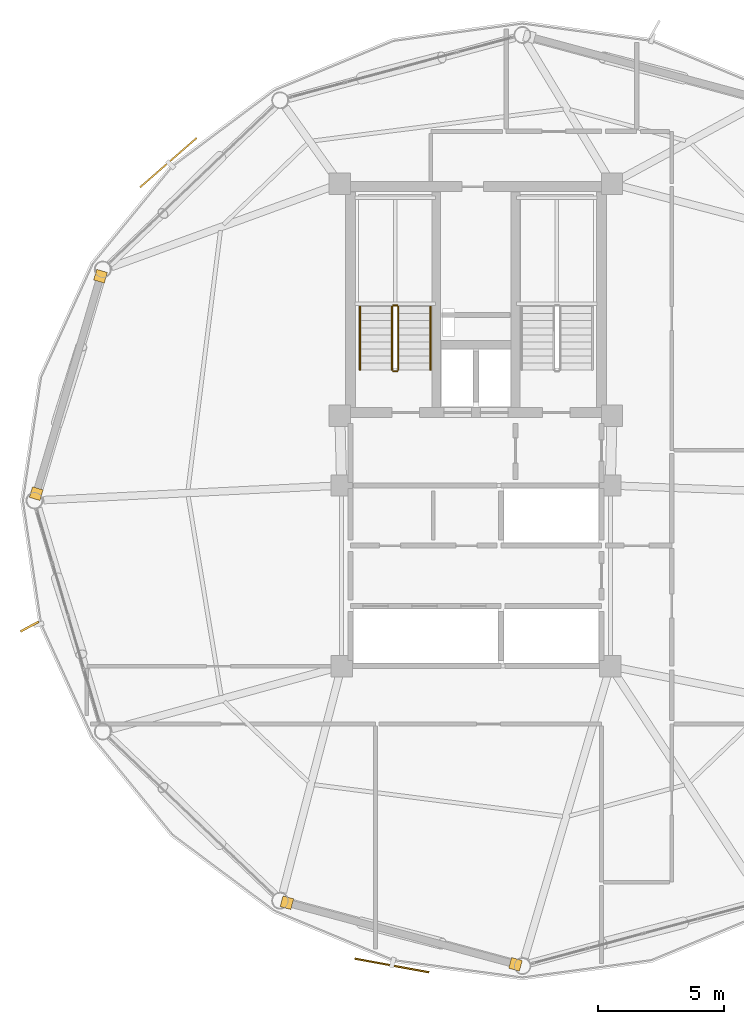
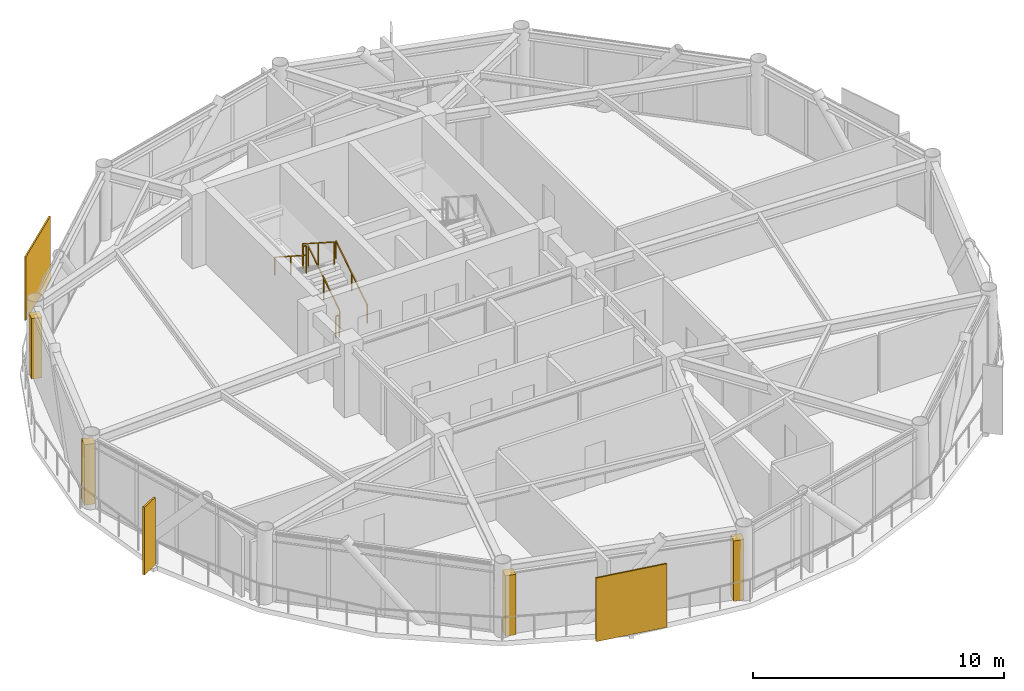
# One storey, part 26 of 28: 6 railings, 4 coverings, 3 shading devices.
"""IFC4 building model written with IfcOpenShell, lengths in metres."""

from ifc_helpers import new_model, si_unit, direction, frame, origin, origin_2d, place, context, subcontext, project, spatial, rectangle, extrude, source, transform, mapped, material, layer, layer_set, type_object, type_shapes, element, save


model = new_model("IFC4")

# Units and contexts
model_context = context("Model", 3, precision=1e-05, world=origin(), true_north=direction((0.0, 1.0)))
body_context = subcontext(model_context, "Body", "Model", "MODEL_VIEW")
ifc_project = project(units=[si_unit("LENGTHUNIT", "METRE"), si_unit("AREAUNIT", "SQUARE_METRE"), si_unit("VOLUMEUNIT", "CUBIC_METRE"), si_unit("PLANEANGLEUNIT", "RADIAN"), si_unit("MASSUNIT", "GRAM", prefix="KILO")], contexts=[model_context])

# Site, building, storey
site_placement = place(None, origin())
site = spatial("IfcSite", under=ifc_project, at=site_placement, CompositionType="ELEMENT")
building_placement = place(site_placement, origin())
building = spatial("IfcBuilding", under=site, at=building_placement, Name="Varnakorn Sky Granary", CompositionType="ELEMENT")
storey_placement = place(building_placement, frame((0.0, 0.0, 196.800048828125)))
storey = spatial("IfcBuildingStorey", under=building, at=storey_placement, Name="L49", CompositionType="ELEMENT", Elevation=196.800048828125)

# Railings
ifc_material_1 = material(Name="Brushed Stainless Steel 316", Category="steel")
railing_type_1 = type_object("IfcRailingType", Name="RL-STAIR-1100", PredefinedType="GUARDRAIL", material=ifc_material_1)
railing_1_placement = place(storey_placement, frame((-0.090087890625, 5.199951171875, 0.179931640625)))
element("IfcRailing", 1, at=railing_1_placement, inside=storey, type_object=railing_type_1, Name="L49 ST-1 stair guard 1", PredefinedType="GUARDRAIL", context=body_context, shape_type="SweptSolid", body=[
    extrude(rectangle(XDim=0.048095703125, YDim=0.048095703125, at=origin_2d()), frame((0.0, 0.0, 1.076171875), z_axis=(0.0, 0.841162588446, 0.540782303519), x_axis=(-1.0, 0.0, 0.0)), (0.0, 0.0, 1.0), 2.995849609375),
    extrude(rectangle(XDim=0.0419921875, YDim=0.0419921875, at=origin_2d()), origin(), (0.0, 0.0, 1.0), 1.048095703125),
    extrude(rectangle(XDim=0.0419921875, YDim=0.0419921875, at=origin_2d()), frame((0.0, 1.260009765625, 0.81005859375)), (0.0, 0.0, 1.0), 1.048095703125),
    extrude(rectangle(XDim=0.0419921875, YDim=0.0419921875, at=origin_2d()), frame((0.0, 2.52001953125, 1.6201171875)), (0.0, 0.0, 1.0), 1.048095703125),
])
railing_2_placement = place(storey_placement, frame((-0.139892578125, 7.77001953125, 1.800048828125)))
element("IfcRailing", 2, at=railing_2_placement, inside=storey, type_object=railing_type_1, Name="L49 ST-1 stair guard 2", PredefinedType="GUARDRAIL", context=body_context, shape_type="SweptSolid", body=[
    extrude(rectangle(XDim=0.048095703125, YDim=0.048095703125, at=origin_2d()), frame((0.0, 0.0, 1.076171875), z_axis=(-1.0, 0.0, 0.0), x_axis=(0.0, -1.0, 0.0)), (0.0, 0.0, 1.0), 0.150146484375),
    extrude(rectangle(XDim=0.0419921875, YDim=0.0419921875, at=origin_2d()), origin(), (0.0, 0.0, 1.0), 1.048095703125),
    extrude(rectangle(XDim=0.0419921875, YDim=0.0419921875, at=origin_2d()), frame((-0.150146484375, 0.0, 0.0)), (0.0, 0.0, 1.0), 1.048095703125),
])
railing_3_placement = place(storey_placement, frame((-0.340087890625, 7.719970703125, 1.97998046875)))
element("IfcRailing", 3, at=railing_3_placement, inside=storey, type_object=railing_type_1, Name="L49 ST-1 stair guard 3", PredefinedType="GUARDRAIL", context=body_context, shape_type="SweptSolid", body=[
    extrude(rectangle(XDim=0.048095703125, YDim=0.048095703125, at=origin_2d()), frame((0.0, 0.0, 1.076171875), z_axis=(0.0, -0.841199657755, 0.540724639528), x_axis=(1.0, 0.0, 0.0)), (0.0, 0.0, 1.0), 2.995849609375),
    extrude(rectangle(XDim=0.0419921875, YDim=0.0419921875, at=origin_2d()), origin(), (0.0, 0.0, 1.0), 1.048095703125),
    extrude(rectangle(XDim=0.0419921875, YDim=0.0419921875, at=origin_2d()), frame((0.0, -1.260009765625, 0.81005859375)), (0.0, 0.0, 1.0), 1.048095703125),
    extrude(rectangle(XDim=0.0419921875, YDim=0.0419921875, at=origin_2d()), frame((0.0, -2.52001953125, 1.619873046875)), (0.0, 0.0, 1.0), 1.048095703125),
])
railing_4_placement = place(storey_placement, frame((-0.139892578125, 5.14990234375, 0.0)))
element("IfcRailing", 4, at=railing_4_placement, inside=storey, type_object=railing_type_1, Name="L49 ST-1 stair guard 4", PredefinedType="GUARDRAIL", context=body_context, shape_type="SweptSolid", body=[
    extrude(rectangle(XDim=0.048095703125, YDim=0.048095703125, at=origin_2d()), frame((0.0, 0.0, 1.076171875), z_axis=(-1.0, 0.0, 0.0), x_axis=(0.0, -1.0, 0.0)), (0.0, 0.0, 1.0), 0.150146484375),
    extrude(rectangle(XDim=0.0419921875, YDim=0.0419921875, at=origin_2d()), origin(), (0.0, 0.0, 1.0), 1.048095703125),
    extrude(rectangle(XDim=0.0419921875, YDim=0.0419921875, at=origin_2d()), frame((-0.150146484375, 0.0, 0.0)), (0.0, 0.0, 1.0), 1.048095703125),
])
railing_type_2 = type_object("IfcRailingType", Name="RL-STAIR-920", PredefinedType="HANDRAIL", material=ifc_material_1)
railing_5_placement = place(storey_placement, frame((1.18994140625, 5.199951171875, 0.179931640625)))
element("IfcRailing", 5, at=railing_5_placement, inside=storey, type_object=railing_type_2, Name="L49 ST-1 stair handrail 1", PredefinedType="HANDRAIL", context=body_context, shape_type="SweptSolid", body=[
    extrude(rectangle(XDim=0.048095703125, YDim=0.048095703125, at=origin_2d()), frame((0.0, 0.0, 0.8759765625), z_axis=(0.0, 0.841162588446, 0.540782303519), x_axis=(-1.0, 0.0, 0.0)), (0.0, 0.0, 1.0), 2.995849609375),
    extrude(rectangle(XDim=0.0419921875, YDim=0.0419921875, at=origin_2d()), origin(), (0.0, 0.0, 1.0), 0.847900390625),
    extrude(rectangle(XDim=0.0419921875, YDim=0.0419921875, at=origin_2d()), frame((0.0, 1.260009765625, 0.81005859375)), (0.0, 0.0, 1.0), 0.847900390625),
    extrude(rectangle(XDim=0.0419921875, YDim=0.0419921875, at=origin_2d()), frame((0.0, 2.52001953125, 1.6201171875)), (0.0, 0.0, 1.0), 0.847900390625),
])
railing_6_placement = place(storey_placement, frame((-1.6201171875, 7.719970703125, 1.97998046875)))
element("IfcRailing", 6, at=railing_6_placement, inside=storey, type_object=railing_type_2, Name="L49 ST-1 stair handrail 2", PredefinedType="HANDRAIL", context=body_context, shape_type="SweptSolid", body=[
    extrude(rectangle(XDim=0.048095703125, YDim=0.048095703125, at=origin_2d()), frame((0.0, 0.0, 0.8759765625), z_axis=(0.0, -0.841199657755, 0.540724639528), x_axis=(1.0, 0.0, 0.0)), (0.0, 0.0, 1.0), 2.995849609375),
    extrude(rectangle(XDim=0.0419921875, YDim=0.0419921875, at=origin_2d()), origin(), (0.0, 0.0, 1.0), 0.847900390625),
    extrude(rectangle(XDim=0.0419921875, YDim=0.0419921875, at=origin_2d()), frame((0.0, -1.260009765625, 0.81005859375)), (0.0, 0.0, 1.0), 0.847900390625),
    extrude(rectangle(XDim=0.0419921875, YDim=0.0419921875, at=origin_2d()), frame((0.0, -2.52001953125, 1.619873046875)), (0.0, 0.0, 1.0), 0.847900390625),
])

# Shading devices
ifc_material_2 = material(Name="Anodised Bronze Aluminium Alloy 6063-T6", Category="aluminium")
shading_device_type_1 = type_object("IfcShadingDeviceType", Name="SH-SCR-02", PredefinedType="USERDEFINED", material=ifc_material_2)
shared_shape_1 = source(origin(), body_context, "Body", "SweptSolid", [
    extrude(rectangle(XDim=3.0, YDim=0.06494140625, at=origin_2d()), origin(), (0.0, 0.0, 1.0), 3.10009765625),
])
type_shapes(shading_device_type_1, [shared_shape_1])
for number, where, z_axis, x_axis, name in (
    (7, (-9.24951171875, 13.457275390625, -0.0400390625), (0.0, 0.0, 1.0), (-0.753735028612, -0.657178443532, 0.0), "Perforated Bronze Solar Screen Panel SCREEN L49-05"),
    (8, (-0.346923828125, -18.51806640625, -0.0400390625), (0.0, 0.0, 1.0), (0.983488090511, -0.180972859355, 0.0), "Perforated Bronze Solar Screen Panel SCREEN L49-09"),
):
    element("IfcShadingDevice", number, at=place(storey_placement, frame(where, z_axis=z_axis, x_axis=x_axis)), inside=storey, type_object=shading_device_type_1, Name=name, ObjectType="SCREEN", PredefinedType="USERDEFINED", context=body_context, shape_type="MappedRepresentation", body=[
        mapped(shared_shape_1, transform((0.0, 0.0, 0.0), x_axis=(1.0, 0.0, 0.0), y_axis=(0.0, 1.0, 0.0), z_axis=(0.0, 0.0, 1.0), scale=1.0)),
    ])
shading_device_type_2 = type_object("IfcShadingDeviceType", Name="SH-FIN-02", PredefinedType="USERDEFINED", material=ifc_material_2)
shared_shape_2 = source(origin(), body_context, "Body", "SweptSolid", [
    extrude(rectangle(XDim=0.0849609375, YDim=0.820068359375, at=origin_2d()), origin(), (0.0, 0.0, 1.0), 3.300048828125),
])
type_shapes(shading_device_type_2, [shared_shape_2])
shading_device_placement = place(storey_placement, frame((-14.778076171875, -5.021484375, -0.0400390625), z_axis=(0.0, 0.0, 1.0), x_axis=(0.475386291867, -0.879777172644, 0.0)))
element("IfcShadingDevice", 9, at=shading_device_placement, inside=storey, type_object=shading_device_type_2, Name="Bronze Solar-Tracking Vertical Blade FIN L49-07", ObjectType="FIN", PredefinedType="USERDEFINED", context=body_context, shape_type="MappedRepresentation", body=[
    mapped(shared_shape_2, transform((0.0, 0.0, 0.0), x_axis=(1.0, 0.0, 0.0), y_axis=(0.0, 1.0, 0.0), z_axis=(0.0, 0.0, 1.0), scale=1.0)),
])

# Coverings
ifc_layer = layer(ifc_material_2, 0.050048828125, Name="Anodised Bronze Aluminium Alloy 6063-T6")
ifc_layer_set = layer_set([ifc_layer], Name="Anodised Bronze Aluminium Alloy 6063-T6")
covering_type = type_object("IfcCoveringType", Name="CV-CLAD-50", PredefinedType="CLADDING", material=ifc_layer_set)
shared_shape_3 = source(origin(), body_context, "Body", "SweptSolid", [
    extrude(rectangle(XDim=0.43994140625, YDim=0.43994140625, at=origin_2d()), origin(), (0.0, 0.0, 1.0), 2.949951171875),
])
type_shapes(covering_type, [shared_shape_3])
for number, where, z_axis, x_axis, name in (
    (10, (-14.51318359375, 0.273193359375, -0.02001953125), (0.0, 0.0, 1.0), (0.283513268955, 0.958968313515, 0.0), "Bronze Corner Pilaster Closure L49-P06-A"),
    (11, (-11.952880859375, 8.9326171875, -0.02001953125), (0.0, 0.0, 1.0), (0.283513268955, 0.958968313515, 0.0), "Bronze Corner Pilaster Closure L49-P06-B"),
    (12, (4.57470703125, -18.472900390625, -0.02001953125), (0.0, 0.0, 1.0), (-0.965563505285, 0.260167479254, 0.0), "Bronze Corner Pilaster Closure L49-P09-A"),
    (13, (-4.529296875, -16.01953125, -0.02001953125), (0.0, 0.0, 1.0), (-0.965563505285, 0.260167479254, 0.0), "Bronze Corner Pilaster Closure L49-P09-B"),
):
    element("IfcCovering", number, at=place(storey_placement, frame(where, z_axis=z_axis, x_axis=x_axis)), inside=storey, type_object=covering_type, Name=name, PredefinedType="CLADDING", context=body_context, shape_type="MappedRepresentation", body=[
        mapped(shared_shape_3, transform((0.0, 0.0, 0.0), x_axis=(1.0, 0.0, 0.0), y_axis=(0.0, 1.0, 0.0), z_axis=(0.0, 0.0, 1.0), scale=1.0)),
    ])

save(model, "model.ifc")
